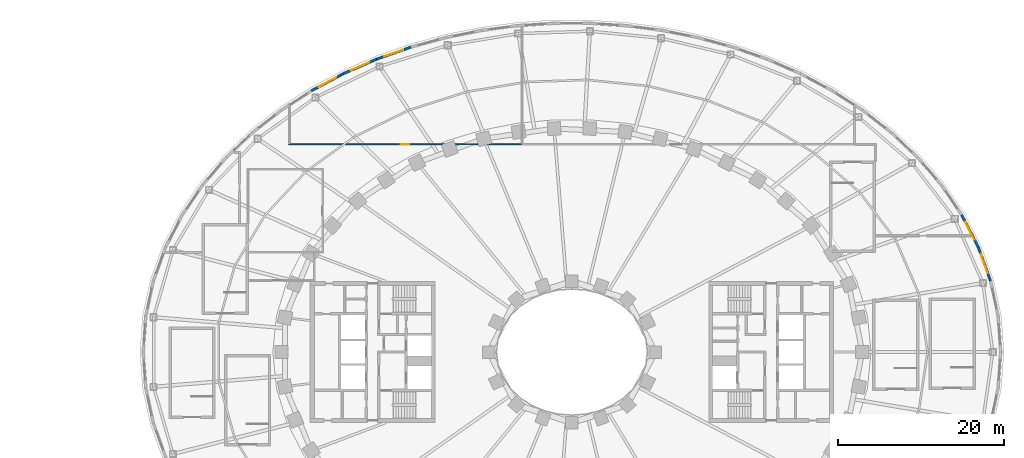
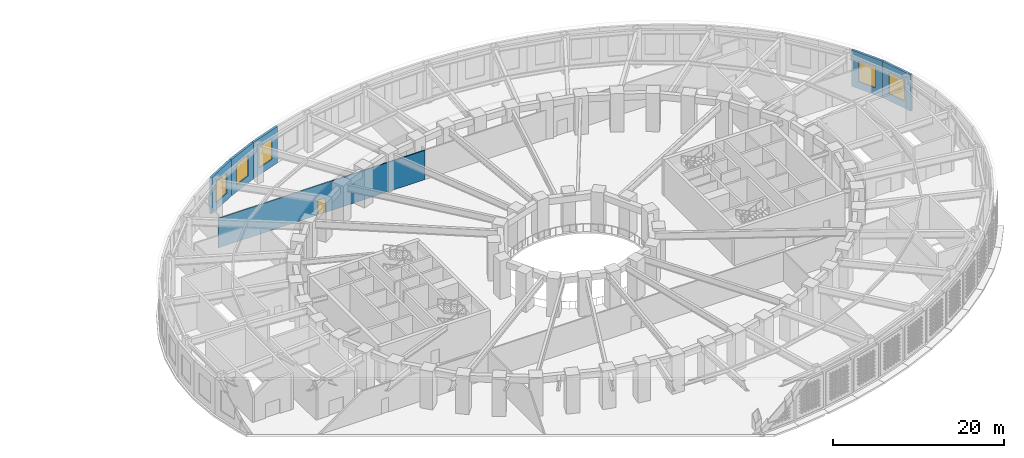
# One storey, part 15 of 63: 6 walls, 5 windows, 1 door, 6 openings.
"""IFC4 building model written with IfcOpenShell, lengths in metres."""

import ifcopenshell
import ifcopenshell.guid

model = None  # the IFC model being written
_history = None  # IfcOwnerHistory: only IFC2X3 demands one
_inside = {}  # id of a spatial element -> (the spatial element, [elements in it])
_under = {}  # id of a project, library or spatial element -> (it, [spatial elements below it])
_declared = {}  # id of a project -> (the project, [libraries it declares])
_typed = {}  # id of a type object -> (the type object, [elements of that type])
_made_of = {}  # id of a material, layer set ... -> (it, [elements and type objects made of it])


def new_model(schema):
    """Start an empty IFC model of exactly this schema.

    Asked for "IFC4X3", IfcOpenShell would pick the latest addendum, in which some entities
    have other attributes; the version numbers below select the first issue.
    IFC2X3 requires an IfcOwnerHistory on every rooted entity: one is made here for all.
    """
    global model, _history
    if schema == "IFC4X3":
        model = ifcopenshell.file(schema_version=(4, 3, 0, 0))
    else:
        model = ifcopenshell.file(schema=schema)
    _inside.clear()
    _under.clear()
    _declared.clear()
    _typed.clear()
    _made_of.clear()
    _history = None
    if model.schema == "IFC2X3":
        org = make("IfcOrganization", Name="unknown")
        user = make(
            "IfcPersonAndOrganization",
            ThePerson=make("IfcPerson", FamilyName="unknown"),
            TheOrganization=org,
        )
        app = make(
            "IfcApplication",
            ApplicationDeveloper=org,
            Version="unknown",
            ApplicationFullName="unknown",
            ApplicationIdentifier="unknown",
        )
        _history = make(
            "IfcOwnerHistory",
            OwningUser=user,
            OwningApplication=app,
            ChangeAction="ADDED",
            CreationDate=0,
        )
    return model


def make(cls, **values):
    """One entity of the class cls with the attributes given. An attribute that is None is left unset."""
    return model.create_entity(
        cls, **{name: value for name, value in values.items() if value is not None}
    )


def rooted(cls, **values):
    """An entity with a GlobalId (a new one), such as an element, a storey or a relation."""
    return make(cls, GlobalId=ifcopenshell.guid.new(), OwnerHistory=_history, **values)


def si_unit(unit_type, name, prefix=None):
    """IfcSIUnit, for example si_unit("LENGTHUNIT", "METRE", prefix="MILLI")."""
    return make("IfcSIUnit", UnitType=unit_type, Prefix=prefix, Name=name)


def assignment(units):
    """IfcUnitAssignment: the units of a project."""
    return None if units is None else make("IfcUnitAssignment", Units=units)


def point(xyz):
    """IfcCartesianPoint."""
    return None if xyz is None else make("IfcCartesianPoint", Coordinates=xyz)


def direction(xyz):
    """IfcDirection."""
    return None if xyz is None else make("IfcDirection", DirectionRatios=xyz)


def frame(location, z_axis=None, x_axis=None):
    """IfcAxis2Placement3D, a coordinate frame: its origin and axes. An axis left out is left unset."""
    return make(
        "IfcAxis2Placement3D",
        Location=point(location),
        Axis=direction(z_axis),
        RefDirection=direction(x_axis),
    )


def frame_2d(location, x_axis=None):
    """IfcAxis2Placement2D, a coordinate frame in the plane: its origin and x axis."""
    return make(
        "IfcAxis2Placement2D", Location=point(location), RefDirection=direction(x_axis)
    )


def origin():
    """The frame at (0, 0, 0) with its axes left unset."""
    return frame((0.0, 0.0, 0.0))


def place(relative_to, where):
    """IfcLocalPlacement: puts the frame where relative to a parent placement (None: the world)."""
    return make(
        "IfcLocalPlacement", PlacementRelTo=relative_to, RelativePlacement=where
    )


def context(
    kind, dimensions, precision=None, world=None, true_north=None, identifier=None
):
    """IfcGeometricRepresentationContext, for example the 3D "Model" context."""
    return make(
        "IfcGeometricRepresentationContext",
        ContextIdentifier=identifier,
        ContextType=kind,
        CoordinateSpaceDimension=dimensions,
        Precision=precision,
        WorldCoordinateSystem=world,
        TrueNorth=true_north,
    )


def subcontext(parent, identifier, kind, view, scale=None):
    """IfcGeometricRepresentationSubContext, for example "Body" below "Model"."""
    return make(
        "IfcGeometricRepresentationSubContext",
        ContextIdentifier=identifier,
        ContextType=kind,
        ParentContext=parent,
        TargetScale=scale,
        TargetView=view,
    )


def project(units=None, contexts=None):
    """IfcProject with its units and contexts."""
    return rooted(
        "IfcProject",
        Name="project",
        RepresentationContexts=contexts,
        UnitsInContext=assignment(units),
    )


def spatial(cls, under=None, at=None, **own):
    """A site, building, storey or space (cls), placed at a placement, below another one or the project."""
    s = rooted(cls, ObjectPlacement=at, **own)
    if under is not None:
        _under.setdefault(under.id(), (under, []))[1].append(s)
    return s


def profile(cls, at=None, kind="AREA", **sizes):
    """A parametric profile (cls). Its sizes go by their IFC names, for example OverallWidth=200.0."""
    return make(cls, ProfileType=kind, Position=at, **sizes)


def rectangle(**sizes):
    """IfcRectangleProfileDef."""
    return profile("IfcRectangleProfileDef", **sizes)


def extrude(swept, where, along, depth):
    """IfcExtrudedAreaSolid: the profile swept, set in the frame where, extruded along a direction by depth."""
    return make(
        "IfcExtrudedAreaSolid",
        SweptArea=swept,
        Position=where,
        ExtrudedDirection=direction(along),
        Depth=depth,
    )


def shape(context_of_items, identifier, shape_type, items):
    """IfcShapeRepresentation: the items that make up one representation, for example the "Body"."""
    return make(
        "IfcShapeRepresentation",
        ContextOfItems=context_of_items,
        RepresentationIdentifier=identifier,
        RepresentationType=shape_type,
        Items=items,
    )


def material(Name=None, Category=None):
    """IfcMaterial."""
    return make("IfcMaterial", Name=Name, Category=Category)


def layer(
    of_material, thickness, ventilated=None, Name=None, Category=None, Priority=None
):
    """IfcMaterialLayer: one layer of a wall or slab, of a material (None: an air gap)."""
    return make(
        "IfcMaterialLayer",
        Material=of_material,
        LayerThickness=thickness,
        IsVentilated=ventilated,
        Name=Name,
        Category=Category,
        Priority=Priority,
    )


def layer_set(layers, Name=None):
    """IfcMaterialLayerSet."""
    return make("IfcMaterialLayerSet", MaterialLayers=layers, LayerSetName=Name)


def made_of(thing, what):
    """Note that an element or type object is made of a material, layer set ...; save() writes the relation."""
    if what is not None:
        _made_of.setdefault(what.id(), (what, []))[1].append(thing)
    return thing


def type_object(cls, material=None, **own):
    """A type object (cls), such as IfcWallType, which elements share."""
    return made_of(rooted(cls, **own), material)


def element(
    cls,
    number,
    at=None,
    inside=None,
    cuts=None,
    type_object=None,
    material=None,
    context=None,
    identifier="Body",
    shape_type=None,
    held_by="IfcProductDefinitionShape",
    body=None,
    shapes=None,
    **own,
):
    """One element of the class cls, such as IfcWall. Its Tag is "e" and its number.

    at: its placement. inside: the storey or other place that contains it. cuts: it is an
    opening in that element (IfcRelVoidsElement). A single representation is given by context,
    identifier, shape_type and body (its items); several are given by shapes. held_by: the class
    of the entity that holds the representations. save() writes the other relations.
    """
    e = rooted(cls, Tag="e%d" % number, ObjectPlacement=at, **own)
    if body is not None:
        shapes = [shape(context, identifier, shape_type, body)]
    if shapes is not None:
        e.Representation = make(held_by, Representations=shapes)
    if inside is not None:
        _inside.setdefault(inside.id(), (inside, []))[1].append(e)
    if cuts is not None:
        rooted(
            "IfcRelVoidsElement", RelatingBuildingElement=cuts, RelatedOpeningElement=e
        )
    if type_object is not None:
        _typed.setdefault(type_object.id(), (type_object, []))[1].append(e)
    return made_of(e, material)


def fill(opening, filler):
    """IfcRelFillsElement: the door or window that sits in an opening."""
    return rooted(
        "IfcRelFillsElement",
        RelatingOpeningElement=opening,
        RelatedBuildingElement=filler,
    )


def aggregate(whole, parts):
    """IfcRelAggregates: a whole, such as a stair, and the parts it consists of."""
    return rooted("IfcRelAggregates", RelatingObject=whole, RelatedObjects=parts)


def save(model, path):
    """Write the relations noted so far, then the file.

    IfcRelAggregates (storeys below a building ...), IfcRelContainedInSpatialStructure (elements
    in a storey), IfcRelDefinesByType, IfcRelAssociatesMaterial and IfcRelDeclares: one each for
    every whole, place, type object, material and project.
    """
    for whole, parts in _under.values():
        aggregate(whole, parts)
    for where, things in _inside.values():
        rooted(
            "IfcRelContainedInSpatialStructure",
            RelatedElements=things,
            RelatingStructure=where,
        )
    for kind, things in _typed.values():
        rooted("IfcRelDefinesByType", RelatedObjects=things, RelatingType=kind)
    for what, things in _made_of.values():
        rooted("IfcRelAssociatesMaterial", RelatedObjects=things, RelatingMaterial=what)
    for by, libraries in _declared.values():
        rooted("IfcRelDeclares", RelatingContext=by, RelatedDefinitions=libraries)
    model.write(path)


model = new_model("IFC4")

# Units and contexts
model_context = context("Model", 3, precision=1e-05, world=origin(), true_north=direction((0.0, 1.0)))
body_context = subcontext(model_context, "Body", "Model", "MODEL_VIEW")
ifc_project = project(units=[si_unit("LENGTHUNIT", "METRE"), si_unit("AREAUNIT", "SQUARE_METRE"), si_unit("VOLUMEUNIT", "CUBIC_METRE"), si_unit("PLANEANGLEUNIT", "RADIAN"), si_unit("MASSUNIT", "GRAM", prefix="KILO")], contexts=[model_context])

# Site, building, storey
site_placement = place(None, origin())
site = spatial("IfcSite", under=ifc_project, at=site_placement, CompositionType="ELEMENT")
building_placement = place(site_placement, origin())
building = spatial("IfcBuilding", under=site, at=building_placement, Name="Noorbagh Ring Tower", CompositionType="ELEMENT")
storey_placement = place(building_placement, frame((0.0, 0.0, 25.0)))
storey = spatial("IfcBuildingStorey", under=building, at=storey_placement, Name="L04", CompositionType="ELEMENT", Elevation=25.0)

# Wall, opening, window
ifc_material_1 = material(Name="Blockwork faced with red sandstone", Category="masonry")
ifc_layer_1 = layer(ifc_material_1, 0.300048828125)
ifc_layer_set_1 = layer_set([ifc_layer_1], Name="Blockwork faced with red sandstone")
wall_type_1 = type_object("IfcWallType", Name="GND-ENV-WALL", PredefinedType="SOLIDWALL", material=ifc_layer_set_1)
wall_1_placement = place(storey_placement, frame((50.3759765625, 8.56787109375, 0.0), z_axis=(0.0, 0.0, 1.0), x_axis=(-0.341286990045, 0.939959142956, 0.0)))
wall_1 = element("IfcWall", 1, at=wall_1_placement, inside=storey, type_object=wall_type_1, Name="Podium wall", PredefinedType="SOLIDWALL", context=body_context, shape_type="SweptSolid", body=[
    extrude(rectangle(XDim=4.341552734375, YDim=0.300048828125, at=frame_2d((2.1708984375, 0.0))), origin(), (0.0, 0.0, 1.0), 5.199951171875),
])
opening_1_placement = place(wall_1_placement, frame((0.970703125, 0.0, 1.0)))
opening_1 = element("IfcOpeningElement", 2, at=opening_1_placement, cuts=wall_1, Name="Opening GWN1", PredefinedType="OPENING", context=body_context, shape_type="SweptSolid", body=[
    extrude(rectangle(XDim=2.39990234375, YDim=3.0, at=frame_2d((1.199951171875, 1.5))), frame((0.0, 0.16015625, 0.0), z_axis=(0.0, -1.0, 0.0), x_axis=(1.0, 0.0, 0.0)), (0.0, 0.0, 1.0), 0.320068359375),
])
ifc_material_2 = material(Name="Aluminium and glass", Category="aluminium")
window_type = type_object("IfcWindowType", Name="GND-ENV-WINDOW", PartitioningType="SINGLE_PANEL", PredefinedType="WINDOW", material=ifc_material_2)
window_1_placement = place(opening_1_placement, origin())
window_1 = element("IfcWindow", 3, at=window_1_placement, inside=storey, type_object=window_type, Name="L04 podium window", OverallHeight=3.0, OverallWidth=2.39990234375, PartitioningType="SINGLE_PANEL", PredefinedType="WINDOW", context=body_context, shape_type="SweptSolid", body=[
    extrude(rectangle(XDim=2.39990234375, YDim=3.0, at=frame_2d((1.199951171875, 1.5))), frame((0.0, 0.030029296875, 0.0), z_axis=(0.0, -1.0, 0.0), x_axis=(1.0, 0.0, 0.0)), (0.0, 0.0, 1.0), 0.06005859375),
])
fill(opening_1, window_1)

wall_2_placement = place(storey_placement, frame((48.894287109375, 12.648681640625, 0.0), z_axis=(0.0, 0.0, 1.0), x_axis=(-0.459242531468, 0.888310923771, 0.0)))
wall_2 = element("IfcWall", 4, at=wall_2_placement, inside=storey, type_object=wall_type_1, Name="Podium wall", PredefinedType="SOLIDWALL", context=body_context, shape_type="SweptSolid", body=[
    extrude(rectangle(XDim=4.344970703125, YDim=0.300048828125, at=frame_2d((2.17236328125, 0.0))), origin(), (0.0, 0.0, 1.0), 5.199951171875),
])
opening_2_placement = place(wall_2_placement, frame((0.972412109375, 0.0, 1.0)))
opening_2 = element("IfcOpeningElement", 5, at=opening_2_placement, cuts=wall_2, Name="Opening GWN1", PredefinedType="OPENING", context=body_context, shape_type="SweptSolid", body=[
    extrude(rectangle(XDim=2.39990234375, YDim=3.0, at=frame_2d((1.199951171875, 1.5))), frame((0.0, 0.16015625, 0.0), z_axis=(0.0, -1.0, 0.0), x_axis=(1.0, 0.0, 0.0)), (0.0, 0.0, 1.0), 0.320068359375),
])
window_2_placement = place(opening_2_placement, origin())
window_2 = element("IfcWindow", 6, at=window_2_placement, inside=storey, type_object=window_type, Name="L04 podium window", OverallHeight=3.0, OverallWidth=2.39990234375, PartitioningType="SINGLE_PANEL", PredefinedType="WINDOW", context=body_context, shape_type="SweptSolid", body=[
    extrude(rectangle(XDim=2.39990234375, YDim=3.0, at=frame_2d((1.199951171875, 1.5))), frame((0.0, 0.030029296875, 0.0), z_axis=(0.0, -1.0, 0.0), x_axis=(1.0, 0.0, 0.0)), (0.0, 0.0, 1.0), 0.06005859375),
])
fill(opening_2, window_2)

wall_3_placement = place(storey_placement, frame((-19.37939453125, 36.69921875, 0.0), z_axis=(0.0, 0.0, 1.0), x_axis=(-0.943526738033, -0.331296384853, 0.0)))
wall_3 = element("IfcWall", 7, at=wall_3_placement, inside=storey, type_object=wall_type_1, Name="Podium wall", PredefinedType="SOLIDWALL", context=body_context, shape_type="SweptSolid", body=[
    extrude(rectangle(XDim=4.36767578125, YDim=0.300048828125, at=frame_2d((2.183837890625, 0.0))), origin(), (0.0, 0.0, 1.0), 5.199951171875),
])
opening_3_placement = place(wall_3_placement, frame((0.98388671875, 0.0, 1.0)))
opening_3 = element("IfcOpeningElement", 8, at=opening_3_placement, cuts=wall_3, Name="Opening GWN1", PredefinedType="OPENING", context=body_context, shape_type="SweptSolid", body=[
    extrude(rectangle(XDim=2.39990234375, YDim=3.0, at=frame_2d((1.199951171875, 1.5))), frame((0.0, 0.16015625, 0.0), z_axis=(0.0, -1.0, 0.0), x_axis=(1.0, 0.0, 0.0)), (0.0, 0.0, 1.0), 0.320068359375),
])
window_3_placement = place(opening_3_placement, origin())
window_3 = element("IfcWindow", 9, at=window_3_placement, inside=storey, type_object=window_type, Name="L04 podium window", OverallHeight=3.0, OverallWidth=2.39990234375, PartitioningType="SINGLE_PANEL", PredefinedType="WINDOW", context=body_context, shape_type="SweptSolid", body=[
    extrude(rectangle(XDim=2.39990234375, YDim=3.0, at=frame_2d((1.199951171875, 1.5))), frame((0.0, 0.030029296875, 0.0), z_axis=(0.0, -1.0, 0.0), x_axis=(1.0, 0.0, 0.0)), (0.0, 0.0, 1.0), 0.06005859375),
])
fill(opening_3, window_3)

wall_4_placement = place(storey_placement, frame((-23.50048828125, 35.252197265625, 0.0), z_axis=(0.0, 0.0, 1.0), x_axis=(-0.916336904548, -0.400408138483, 0.0)))
wall_4 = element("IfcWall", 10, at=wall_4_placement, inside=storey, type_object=wall_type_1, Name="Podium wall", PredefinedType="SOLIDWALL", context=body_context, shape_type="SweptSolid", body=[
    extrude(rectangle(XDim=4.3662109375, YDim=0.300048828125, at=frame_2d((2.18310546875, 0.0))), origin(), (0.0, 0.0, 1.0), 5.199951171875),
])
opening_4_placement = place(wall_4_placement, frame((0.983154296875, 0.0, 1.0)))
opening_4 = element("IfcOpeningElement", 11, at=opening_4_placement, cuts=wall_4, Name="Opening GWN1", PredefinedType="OPENING", context=body_context, shape_type="SweptSolid", body=[
    extrude(rectangle(XDim=2.39990234375, YDim=3.0, at=frame_2d((1.199951171875, 1.5))), frame((0.0, 0.16015625, 0.0), z_axis=(0.0, -1.0, 0.0), x_axis=(1.0, 0.0, 0.0)), (0.0, 0.0, 1.0), 0.320068359375),
])
window_4_placement = place(opening_4_placement, origin())
window_4 = element("IfcWindow", 12, at=window_4_placement, inside=storey, type_object=window_type, Name="L04 podium window", OverallHeight=3.0, OverallWidth=2.39990234375, PartitioningType="SINGLE_PANEL", PredefinedType="WINDOW", context=body_context, shape_type="SweptSolid", body=[
    extrude(rectangle(XDim=2.39990234375, YDim=3.0, at=frame_2d((1.199951171875, 1.5))), frame((0.0, 0.030029296875, 0.0), z_axis=(0.0, -1.0, 0.0), x_axis=(1.0, 0.0, 0.0)), (0.0, 0.0, 1.0), 0.06005859375),
])
fill(opening_4, window_4)

wall_5_placement = place(storey_placement, frame((-27.50146484375, 33.50390625, 0.0), z_axis=(0.0, 0.0, 1.0), x_axis=(-0.882159305704, -0.47095112205, 0.0)))
wall_5 = element("IfcWall", 13, at=wall_5_placement, inside=storey, type_object=wall_type_1, Name="Podium wall", PredefinedType="SOLIDWALL", context=body_context, shape_type="SweptSolid", body=[
    extrude(rectangle(XDim=4.364501953125, YDim=0.300048828125, at=frame_2d((2.18212890625, 0.0))), origin(), (0.0, 0.0, 1.0), 5.199951171875),
])
opening_5_placement = place(wall_5_placement, frame((0.982177734375, 0.0, 1.0)))
opening_5 = element("IfcOpeningElement", 14, at=opening_5_placement, cuts=wall_5, Name="Opening GWN1", PredefinedType="OPENING", context=body_context, shape_type="SweptSolid", body=[
    extrude(rectangle(XDim=2.39990234375, YDim=3.0, at=frame_2d((1.199951171875, 1.5))), frame((0.0, 0.16015625, 0.0), z_axis=(0.0, -1.0, 0.0), x_axis=(1.0, 0.0, 0.0)), (0.0, 0.0, 1.0), 0.320068359375),
])
window_5_placement = place(opening_5_placement, origin())
window_5 = element("IfcWindow", 15, at=window_5_placement, inside=storey, type_object=window_type, Name="L04 podium window", OverallHeight=3.0, OverallWidth=2.39990234375, PartitioningType="SINGLE_PANEL", PredefinedType="WINDOW", context=body_context, shape_type="SweptSolid", body=[
    extrude(rectangle(XDim=2.39990234375, YDim=3.0, at=frame_2d((1.199951171875, 1.5))), frame((0.0, 0.030029296875, 0.0), z_axis=(0.0, -1.0, 0.0), x_axis=(1.0, 0.0, 0.0)), (0.0, 0.0, 1.0), 0.06005859375),
])
fill(opening_5, window_5)

# Wall, opening, door
ifc_material_3 = material(Name="Gypsum board on steel studs", Category="steel")
ifc_layer_2 = layer(ifc_material_3, 0.14990234375)
ifc_layer_set_2 = layer_set([ifc_layer_2], Name="Gypsum board on steel studs")
wall_type_2 = type_object("IfcWallType", Name="GND-PART-150", PredefinedType="PARTITIONING", material=ifc_layer_set_2)
wall_6_placement = place(storey_placement, frame((-6.07373046875, 25.0, 0.0), z_axis=(0.0, 0.0, 1.0), x_axis=(-1.0, 0.0, 0.0)))
wall_6 = element("IfcWall", 16, at=wall_6_placement, inside=storey, type_object=wall_type_2, Name="L04/wall/P009", PredefinedType="PARTITIONING", context=body_context, shape_type="SweptSolid", body=[
    extrude(rectangle(XDim=28.001220703125, YDim=0.14990234375, at=frame_2d((14.00048828125, 0.0))), origin(), (0.0, 0.0, 1.0), 4.199951171875),
])
opening_6_placement = place(wall_6_placement, frame((13.500732421875, 0.0, 0.0)))
opening_6 = element("IfcOpeningElement", 17, at=opening_6_placement, cuts=wall_6, Name="Opening GD6", PredefinedType="OPENING", context=body_context, shape_type="SweptSolid", body=[
    extrude(rectangle(XDim=1.0, YDim=2.10009765625, at=frame_2d((0.5, 1.050048828125))), frame((0.0, 0.0849609375, 0.0), z_axis=(0.0, -1.0, 0.0), x_axis=(1.0, 0.0, 0.0)), (0.0, 0.0, 1.0), 0.169921875),
])
ifc_material_4 = material(Name="Timber", Category="wood")
door_type = type_object("IfcDoorType", Name="GND-DOOR-HALL", OperationType="SINGLE_SWING_LEFT", PredefinedType="DOOR", material=ifc_material_4)
door_placement = place(opening_6_placement, origin())
door = element("IfcDoor", 18, at=door_placement, inside=storey, type_object=door_type, Name="Executive suite 2 door", OperationType="SINGLE_SWING_LEFT", OverallHeight=2.10009765625, OverallWidth=1.0, PredefinedType="DOOR", context=body_context, shape_type="SweptSolid", body=[
    extrude(rectangle(XDim=1.0, YDim=2.10009765625, at=frame_2d((0.5, 1.050048828125))), frame((0.0, 0.02490234375, 0.0), z_axis=(0.0, -1.0, 0.0), x_axis=(1.0, 0.0, 0.0)), (0.0, 0.0, 1.0), 0.050048828125),
])
fill(opening_6, door)

save(model, "model.ifc")
